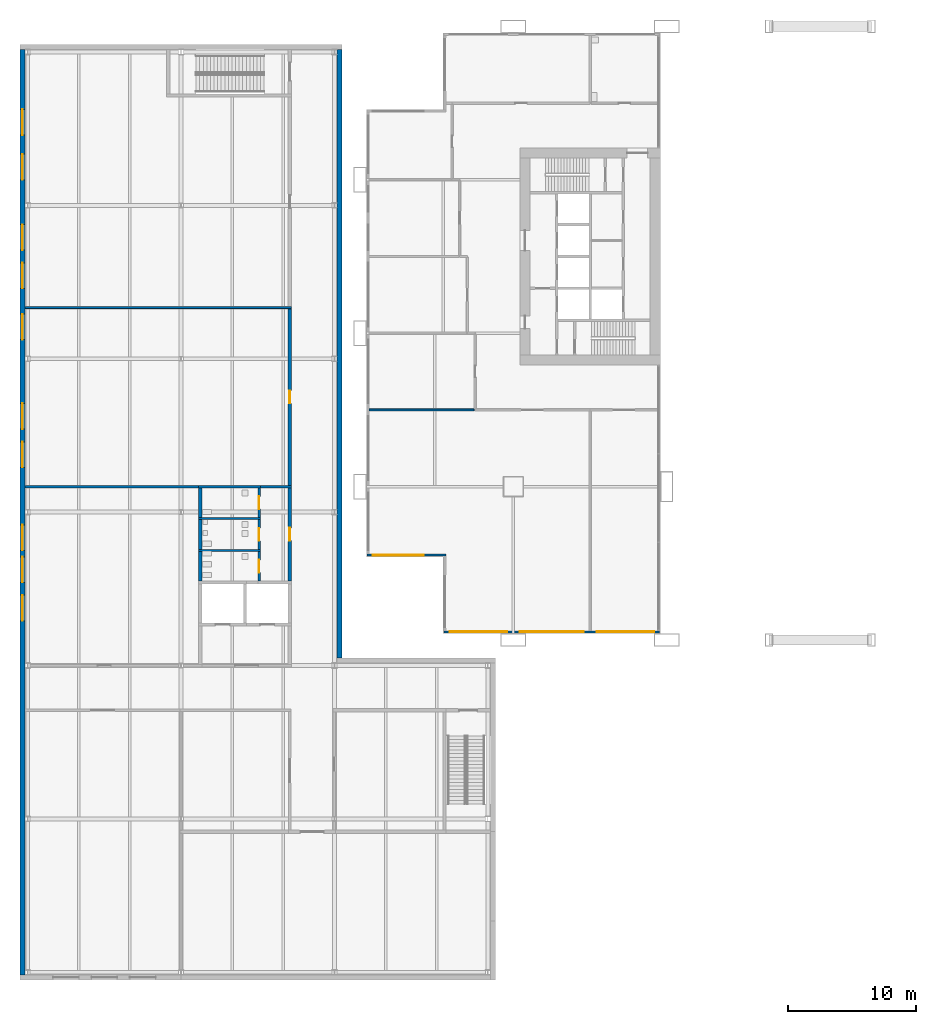
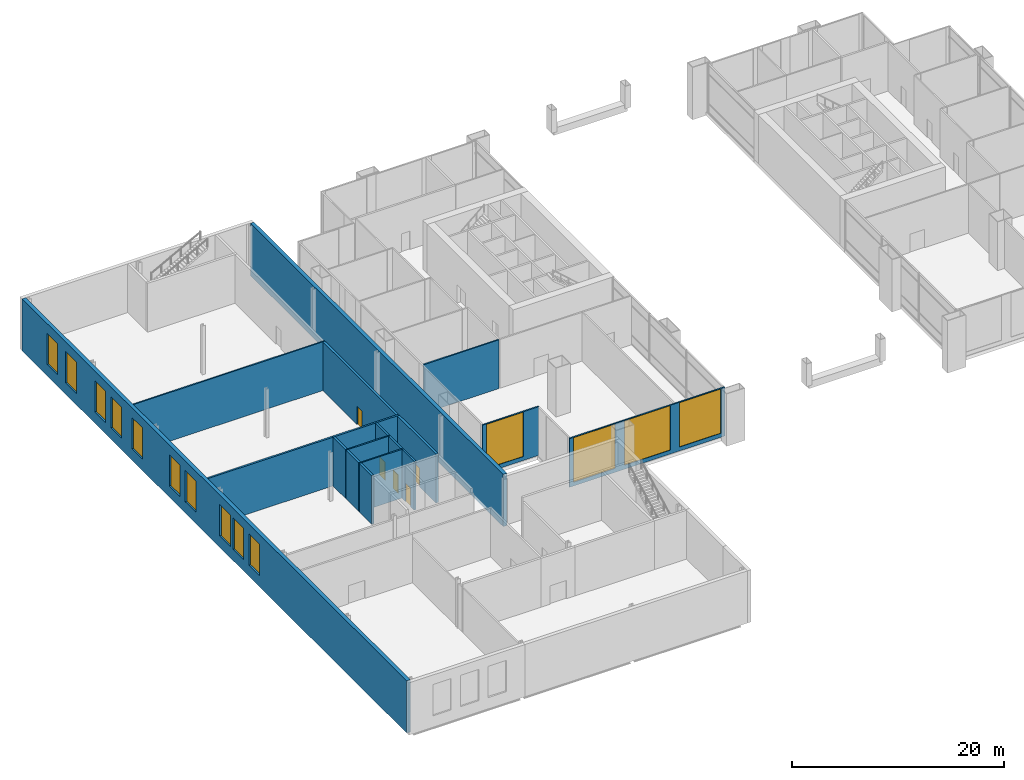
# One storey, part 17 of 25: 19 walls, 14 windows, 5 doors, 19 openings.
"""IFC4 building model written with IfcOpenShell, lengths in metres."""

import ifcopenshell
import ifcopenshell.guid

model = None  # the IFC model being written
_history = None  # IfcOwnerHistory: only IFC2X3 demands one
_inside = {}  # id of a spatial element -> (the spatial element, [elements in it])
_under = {}  # id of a project, library or spatial element -> (it, [spatial elements below it])
_declared = {}  # id of a project -> (the project, [libraries it declares])
_typed = {}  # id of a type object -> (the type object, [elements of that type])
_made_of = {}  # id of a material, layer set ... -> (it, [elements and type objects made of it])


def new_model(schema):
    """Start an empty IFC model of exactly this schema.

    Asked for "IFC4X3", IfcOpenShell would pick the latest addendum, in which some entities
    have other attributes; the version numbers below select the first issue.
    IFC2X3 requires an IfcOwnerHistory on every rooted entity: one is made here for all.
    """
    global model, _history
    if schema == "IFC4X3":
        model = ifcopenshell.file(schema_version=(4, 3, 0, 0))
    else:
        model = ifcopenshell.file(schema=schema)
    _inside.clear()
    _under.clear()
    _declared.clear()
    _typed.clear()
    _made_of.clear()
    _history = None
    if model.schema == "IFC2X3":
        org = make("IfcOrganization", Name="unknown")
        user = make(
            "IfcPersonAndOrganization",
            ThePerson=make("IfcPerson", FamilyName="unknown"),
            TheOrganization=org,
        )
        app = make(
            "IfcApplication",
            ApplicationDeveloper=org,
            Version="unknown",
            ApplicationFullName="unknown",
            ApplicationIdentifier="unknown",
        )
        _history = make(
            "IfcOwnerHistory",
            OwningUser=user,
            OwningApplication=app,
            ChangeAction="ADDED",
            CreationDate=0,
        )
    return model


def make(cls, **values):
    """One entity of the class cls with the attributes given. An attribute that is None is left unset."""
    return model.create_entity(
        cls, **{name: value for name, value in values.items() if value is not None}
    )


def rooted(cls, **values):
    """An entity with a GlobalId (a new one), such as an element, a storey or a relation."""
    return make(cls, GlobalId=ifcopenshell.guid.new(), OwnerHistory=_history, **values)


def si_unit(unit_type, name, prefix=None):
    """IfcSIUnit, for example si_unit("LENGTHUNIT", "METRE", prefix="MILLI")."""
    return make("IfcSIUnit", UnitType=unit_type, Prefix=prefix, Name=name)


def assignment(units):
    """IfcUnitAssignment: the units of a project."""
    return None if units is None else make("IfcUnitAssignment", Units=units)


def point(xyz):
    """IfcCartesianPoint."""
    return None if xyz is None else make("IfcCartesianPoint", Coordinates=xyz)


def direction(xyz):
    """IfcDirection."""
    return None if xyz is None else make("IfcDirection", DirectionRatios=xyz)


def frame(location, z_axis=None, x_axis=None):
    """IfcAxis2Placement3D, a coordinate frame: its origin and axes. An axis left out is left unset."""
    return make(
        "IfcAxis2Placement3D",
        Location=point(location),
        Axis=direction(z_axis),
        RefDirection=direction(x_axis),
    )


def frame_2d(location, x_axis=None):
    """IfcAxis2Placement2D, a coordinate frame in the plane: its origin and x axis."""
    return make(
        "IfcAxis2Placement2D", Location=point(location), RefDirection=direction(x_axis)
    )


def origin():
    """The frame at (0, 0, 0) with its axes left unset."""
    return frame((0.0, 0.0, 0.0))


def place(relative_to, where):
    """IfcLocalPlacement: puts the frame where relative to a parent placement (None: the world)."""
    return make(
        "IfcLocalPlacement", PlacementRelTo=relative_to, RelativePlacement=where
    )


def context(
    kind, dimensions, precision=None, world=None, true_north=None, identifier=None
):
    """IfcGeometricRepresentationContext, for example the 3D "Model" context."""
    return make(
        "IfcGeometricRepresentationContext",
        ContextIdentifier=identifier,
        ContextType=kind,
        CoordinateSpaceDimension=dimensions,
        Precision=precision,
        WorldCoordinateSystem=world,
        TrueNorth=true_north,
    )


def subcontext(parent, identifier, kind, view, scale=None):
    """IfcGeometricRepresentationSubContext, for example "Body" below "Model"."""
    return make(
        "IfcGeometricRepresentationSubContext",
        ContextIdentifier=identifier,
        ContextType=kind,
        ParentContext=parent,
        TargetScale=scale,
        TargetView=view,
    )


def project(units=None, contexts=None):
    """IfcProject with its units and contexts."""
    return rooted(
        "IfcProject",
        Name="project",
        RepresentationContexts=contexts,
        UnitsInContext=assignment(units),
    )


def spatial(cls, under=None, at=None, **own):
    """A site, building, storey or space (cls), placed at a placement, below another one or the project."""
    s = rooted(cls, ObjectPlacement=at, **own)
    if under is not None:
        _under.setdefault(under.id(), (under, []))[1].append(s)
    return s


def profile(cls, at=None, kind="AREA", **sizes):
    """A parametric profile (cls). Its sizes go by their IFC names, for example OverallWidth=200.0."""
    return make(cls, ProfileType=kind, Position=at, **sizes)


def rectangle(**sizes):
    """IfcRectangleProfileDef."""
    return profile("IfcRectangleProfileDef", **sizes)


def extrude(swept, where, along, depth):
    """IfcExtrudedAreaSolid: the profile swept, set in the frame where, extruded along a direction by depth."""
    return make(
        "IfcExtrudedAreaSolid",
        SweptArea=swept,
        Position=where,
        ExtrudedDirection=direction(along),
        Depth=depth,
    )


def shape(context_of_items, identifier, shape_type, items):
    """IfcShapeRepresentation: the items that make up one representation, for example the "Body"."""
    return make(
        "IfcShapeRepresentation",
        ContextOfItems=context_of_items,
        RepresentationIdentifier=identifier,
        RepresentationType=shape_type,
        Items=items,
    )


def material(Name=None, Category=None):
    """IfcMaterial."""
    return make("IfcMaterial", Name=Name, Category=Category)


def layer(
    of_material, thickness, ventilated=None, Name=None, Category=None, Priority=None
):
    """IfcMaterialLayer: one layer of a wall or slab, of a material (None: an air gap)."""
    return make(
        "IfcMaterialLayer",
        Material=of_material,
        LayerThickness=thickness,
        IsVentilated=ventilated,
        Name=Name,
        Category=Category,
        Priority=Priority,
    )


def layer_set(layers, Name=None):
    """IfcMaterialLayerSet."""
    return make("IfcMaterialLayerSet", MaterialLayers=layers, LayerSetName=Name)


def made_of(thing, what):
    """Note that an element or type object is made of a material, layer set ...; save() writes the relation."""
    if what is not None:
        _made_of.setdefault(what.id(), (what, []))[1].append(thing)
    return thing


def type_object(cls, material=None, **own):
    """A type object (cls), such as IfcWallType, which elements share."""
    return made_of(rooted(cls, **own), material)


def element(
    cls,
    number,
    at=None,
    inside=None,
    cuts=None,
    type_object=None,
    material=None,
    context=None,
    identifier="Body",
    shape_type=None,
    held_by="IfcProductDefinitionShape",
    body=None,
    shapes=None,
    **own,
):
    """One element of the class cls, such as IfcWall. Its Tag is "e" and its number.

    at: its placement. inside: the storey or other place that contains it. cuts: it is an
    opening in that element (IfcRelVoidsElement). A single representation is given by context,
    identifier, shape_type and body (its items); several are given by shapes. held_by: the class
    of the entity that holds the representations. save() writes the other relations.
    """
    e = rooted(cls, Tag="e%d" % number, ObjectPlacement=at, **own)
    if body is not None:
        shapes = [shape(context, identifier, shape_type, body)]
    if shapes is not None:
        e.Representation = make(held_by, Representations=shapes)
    if inside is not None:
        _inside.setdefault(inside.id(), (inside, []))[1].append(e)
    if cuts is not None:
        rooted(
            "IfcRelVoidsElement", RelatingBuildingElement=cuts, RelatedOpeningElement=e
        )
    if type_object is not None:
        _typed.setdefault(type_object.id(), (type_object, []))[1].append(e)
    return made_of(e, material)


def fill(opening, filler):
    """IfcRelFillsElement: the door or window that sits in an opening."""
    return rooted(
        "IfcRelFillsElement",
        RelatingOpeningElement=opening,
        RelatedBuildingElement=filler,
    )


def aggregate(whole, parts):
    """IfcRelAggregates: a whole, such as a stair, and the parts it consists of."""
    return rooted("IfcRelAggregates", RelatingObject=whole, RelatedObjects=parts)


def save(model, path):
    """Write the relations noted so far, then the file.

    IfcRelAggregates (storeys below a building ...), IfcRelContainedInSpatialStructure (elements
    in a storey), IfcRelDefinesByType, IfcRelAssociatesMaterial and IfcRelDeclares: one each for
    every whole, place, type object, material and project.
    """
    for whole, parts in _under.values():
        aggregate(whole, parts)
    for where, things in _inside.values():
        rooted(
            "IfcRelContainedInSpatialStructure",
            RelatedElements=things,
            RelatingStructure=where,
        )
    for kind, things in _typed.values():
        rooted("IfcRelDefinesByType", RelatedObjects=things, RelatingType=kind)
    for what, things in _made_of.values():
        rooted("IfcRelAssociatesMaterial", RelatedObjects=things, RelatingMaterial=what)
    for by, libraries in _declared.values():
        rooted("IfcRelDeclares", RelatingContext=by, RelatedDefinitions=libraries)
    model.write(path)


model = new_model("IFC4")

# Units and contexts
model_context = context("Model", 3, precision=1e-05, world=origin(), true_north=direction((0.0, 1.0)))
body_context = subcontext(model_context, "Body", "Model", "MODEL_VIEW")
ifc_project = project(units=[si_unit("LENGTHUNIT", "METRE"), si_unit("AREAUNIT", "SQUARE_METRE"), si_unit("VOLUMEUNIT", "CUBIC_METRE"), si_unit("PLANEANGLEUNIT", "RADIAN"), si_unit("MASSUNIT", "GRAM", prefix="KILO")], contexts=[model_context])

# Site, building, storey
site_placement = place(None, origin())
site = spatial("IfcSite", under=ifc_project, at=site_placement, CompositionType="ELEMENT")
building_placement = place(site_placement, origin())
building = spatial("IfcBuilding", under=site, at=building_placement, Name="Kitamizu Gate Tower and Museum", CompositionType="ELEMENT")
storey_placement = place(building_placement, frame((0.0, 0.0, 18.0)))
storey = spatial("IfcBuildingStorey", under=building, at=storey_placement, Name="L03", CompositionType="ELEMENT", Elevation=18.0)

# Wall, openings, windows
ifc_material_1 = material(Name="Concrete Fc30 precast", Category="concrete")
ifc_layer_1 = layer(ifc_material_1, 0.39990234375)
ifc_layer_set_1 = layer_set([ifc_layer_1], Name="Concrete Fc30 precast")
wall_type_1 = type_object("IfcWallType", Name="Museum cladding wall 400", PredefinedType="STANDARD", material=ifc_layer_set_1)
wall_1_placement = place(storey_placement, frame((-26.39990234375, -26.199951171875, -0.39990234375), z_axis=(0.0, 0.0, 1.0), x_axis=(0.0, 1.0, 0.0)))
wall_1 = element("IfcWall", 1, at=wall_1_placement, inside=storey, type_object=wall_type_1, Name="Cladding wall L03.5", PredefinedType="STANDARD", context=body_context, shape_type="SweptSolid", body=[
    extrude(rectangle(XDim=72.39990234375, YDim=0.39990234375, at=frame_2d((36.199951171875, 0.0))), origin(), (0.0, 0.0, 1.0), 6.0),
])
opening_1_placement = place(wall_1_placement, frame((27.699951171875, 0.0, 1.300048828125)))
opening_1 = element("IfcOpeningElement", 2, at=opening_1_placement, cuts=wall_1, Name="Opening MWN1", PredefinedType="OPENING", context=body_context, shape_type="SweptSolid", body=[
    extrude(rectangle(XDim=2.0, YDim=3.60009765625, at=frame_2d((1.0, 1.800048828125))), frame((0.0, 0.2099609375, 0.0), z_axis=(0.0, -1.0, 0.0), x_axis=(1.0, 0.0, 0.0)), (0.0, 0.0, 1.0), 0.419921875),
])
opening_2_placement = place(wall_1_placement, frame((30.699951171875, 0.0, 1.300048828125)))
opening_2 = element("IfcOpeningElement", 3, at=opening_2_placement, cuts=wall_1, Name="Opening MWN1", PredefinedType="OPENING", context=body_context, shape_type="SweptSolid", body=[
    extrude(rectangle(XDim=2.0, YDim=3.60009765625, at=frame_2d((1.0, 1.800048828125))), frame((0.0, 0.2099609375, 0.0), z_axis=(0.0, -1.0, 0.0), x_axis=(1.0, 0.0, 0.0)), (0.0, 0.0, 1.0), 0.419921875),
])
opening_3_placement = place(wall_1_placement, frame((33.199951171875, 0.0, 1.300048828125)))
opening_3 = element("IfcOpeningElement", 4, at=opening_3_placement, cuts=wall_1, Name="Opening MWN1", PredefinedType="OPENING", context=body_context, shape_type="SweptSolid", body=[
    extrude(rectangle(XDim=2.0, YDim=3.60009765625, at=frame_2d((1.0, 1.800048828125))), frame((0.0, 0.2099609375, 0.0), z_axis=(0.0, -1.0, 0.0), x_axis=(1.0, 0.0, 0.0)), (0.0, 0.0, 1.0), 0.419921875),
])
opening_4_placement = place(wall_1_placement, frame((39.699951171875, 0.0, 1.300048828125)))
opening_4 = element("IfcOpeningElement", 5, at=opening_4_placement, cuts=wall_1, Name="Opening MWN1", PredefinedType="OPENING", context=body_context, shape_type="SweptSolid", body=[
    extrude(rectangle(XDim=2.0, YDim=3.60009765625, at=frame_2d((1.0, 1.800048828125))), frame((0.0, 0.2099609375, 0.0), z_axis=(0.0, -1.0, 0.0), x_axis=(1.0, 0.0, 0.0)), (0.0, 0.0, 1.0), 0.419921875),
])
opening_5_placement = place(wall_1_placement, frame((42.699951171875, 0.0, 1.300048828125)))
opening_5 = element("IfcOpeningElement", 6, at=opening_5_placement, cuts=wall_1, Name="Opening MWN1", PredefinedType="OPENING", context=body_context, shape_type="SweptSolid", body=[
    extrude(rectangle(XDim=2.0, YDim=3.60009765625, at=frame_2d((1.0, 1.800048828125))), frame((0.0, 0.2099609375, 0.0), z_axis=(0.0, -1.0, 0.0), x_axis=(1.0, 0.0, 0.0)), (0.0, 0.0, 1.0), 0.419921875),
])
opening_6_placement = place(wall_1_placement, frame((49.699951171875, 0.0, 1.300048828125)))
opening_6 = element("IfcOpeningElement", 7, at=opening_6_placement, cuts=wall_1, Name="Opening MWN1", PredefinedType="OPENING", context=body_context, shape_type="SweptSolid", body=[
    extrude(rectangle(XDim=2.0, YDim=3.60009765625, at=frame_2d((1.0, 1.800048828125))), frame((0.0, 0.2099609375, 0.0), z_axis=(0.0, -1.0, 0.0), x_axis=(1.0, 0.0, 0.0)), (0.0, 0.0, 1.0), 0.419921875),
])
opening_7_placement = place(wall_1_placement, frame((53.699951171875, 0.0, 1.300048828125)))
opening_7 = element("IfcOpeningElement", 8, at=opening_7_placement, cuts=wall_1, Name="Opening MWN1", PredefinedType="OPENING", context=body_context, shape_type="SweptSolid", body=[
    extrude(rectangle(XDim=2.0, YDim=3.60009765625, at=frame_2d((1.0, 1.800048828125))), frame((0.0, 0.2099609375, 0.0), z_axis=(0.0, -1.0, 0.0), x_axis=(1.0, 0.0, 0.0)), (0.0, 0.0, 1.0), 0.419921875),
])
opening_8_placement = place(wall_1_placement, frame((56.699951171875, 0.0, 1.300048828125)))
opening_8 = element("IfcOpeningElement", 9, at=opening_8_placement, cuts=wall_1, Name="Opening MWN1", PredefinedType="OPENING", context=body_context, shape_type="SweptSolid", body=[
    extrude(rectangle(XDim=2.0, YDim=3.60009765625, at=frame_2d((1.0, 1.800048828125))), frame((0.0, 0.2099609375, 0.0), z_axis=(0.0, -1.0, 0.0), x_axis=(1.0, 0.0, 0.0)), (0.0, 0.0, 1.0), 0.419921875),
])
opening_9_placement = place(wall_1_placement, frame((62.199951171875, 0.0, 1.300048828125)))
opening_9 = element("IfcOpeningElement", 10, at=opening_9_placement, cuts=wall_1, Name="Opening MWN1", PredefinedType="OPENING", context=body_context, shape_type="SweptSolid", body=[
    extrude(rectangle(XDim=2.0, YDim=3.60009765625, at=frame_2d((1.0, 1.800048828125))), frame((0.0, 0.2099609375, 0.0), z_axis=(0.0, -1.0, 0.0), x_axis=(1.0, 0.0, 0.0)), (0.0, 0.0, 1.0), 0.419921875),
])
opening_10_placement = place(wall_1_placement, frame((65.699951171875, 0.0, 1.300048828125)))
opening_10 = element("IfcOpeningElement", 11, at=opening_10_placement, cuts=wall_1, Name="Opening MWN1", PredefinedType="OPENING", context=body_context, shape_type="SweptSolid", body=[
    extrude(rectangle(XDim=2.0, YDim=3.60009765625, at=frame_2d((1.0, 1.800048828125))), frame((0.0, 0.2099609375, 0.0), z_axis=(0.0, -1.0, 0.0), x_axis=(1.0, 0.0, 0.0)), (0.0, 0.0, 1.0), 0.419921875),
])
ifc_material_2 = material(Name="Bronze anodised aluminium frame, tinted triple glazing", Category="aluminium")
window_type_1 = type_object("IfcWindowType", Name="Museum window 2000x3600", PartitioningType="SINGLE_PANEL", PredefinedType="WINDOW", material=ifc_material_2)
window_1_placement = place(opening_1_placement, origin())
window_1 = element("IfcWindow", 12, at=window_1_placement, inside=storey, type_object=window_type_1, Name="Window", OverallHeight=3.60009765625, OverallWidth=2.0, PartitioningType="SINGLE_PANEL", PredefinedType="WINDOW", context=body_context, shape_type="SweptSolid", body=[
    extrude(rectangle(XDim=2.0, YDim=3.60009765625, at=frame_2d((1.0, 1.800048828125))), frame((0.0, 0.030029296875, 0.0), z_axis=(0.0, -1.0, 0.0), x_axis=(1.0, 0.0, 0.0)), (0.0, 0.0, 1.0), 0.06005859375),
])
fill(opening_1, window_1)
window_2_placement = place(opening_2_placement, origin())
window_2 = element("IfcWindow", 13, at=window_2_placement, inside=storey, type_object=window_type_1, Name="Window", OverallHeight=3.60009765625, OverallWidth=2.0, PartitioningType="SINGLE_PANEL", PredefinedType="WINDOW", context=body_context, shape_type="SweptSolid", body=[
    extrude(rectangle(XDim=2.0, YDim=3.60009765625, at=frame_2d((1.0, 1.800048828125))), frame((0.0, 0.030029296875, 0.0), z_axis=(0.0, -1.0, 0.0), x_axis=(1.0, 0.0, 0.0)), (0.0, 0.0, 1.0), 0.06005859375),
])
fill(opening_2, window_2)
window_3_placement = place(opening_3_placement, origin())
window_3 = element("IfcWindow", 14, at=window_3_placement, inside=storey, type_object=window_type_1, Name="Window", OverallHeight=3.60009765625, OverallWidth=2.0, PartitioningType="SINGLE_PANEL", PredefinedType="WINDOW", context=body_context, shape_type="SweptSolid", body=[
    extrude(rectangle(XDim=2.0, YDim=3.60009765625, at=frame_2d((1.0, 1.800048828125))), frame((0.0, 0.030029296875, 0.0), z_axis=(0.0, -1.0, 0.0), x_axis=(1.0, 0.0, 0.0)), (0.0, 0.0, 1.0), 0.06005859375),
])
fill(opening_3, window_3)
window_4_placement = place(opening_4_placement, origin())
window_4 = element("IfcWindow", 15, at=window_4_placement, inside=storey, type_object=window_type_1, Name="Window", OverallHeight=3.60009765625, OverallWidth=2.0, PartitioningType="SINGLE_PANEL", PredefinedType="WINDOW", context=body_context, shape_type="SweptSolid", body=[
    extrude(rectangle(XDim=2.0, YDim=3.60009765625, at=frame_2d((1.0, 1.800048828125))), frame((0.0, 0.030029296875, 0.0), z_axis=(0.0, -1.0, 0.0), x_axis=(1.0, 0.0, 0.0)), (0.0, 0.0, 1.0), 0.06005859375),
])
fill(opening_4, window_4)
window_5_placement = place(opening_5_placement, origin())
window_5 = element("IfcWindow", 16, at=window_5_placement, inside=storey, type_object=window_type_1, Name="Window", OverallHeight=3.60009765625, OverallWidth=2.0, PartitioningType="SINGLE_PANEL", PredefinedType="WINDOW", context=body_context, shape_type="SweptSolid", body=[
    extrude(rectangle(XDim=2.0, YDim=3.60009765625, at=frame_2d((1.0, 1.800048828125))), frame((0.0, 0.030029296875, 0.0), z_axis=(0.0, -1.0, 0.0), x_axis=(1.0, 0.0, 0.0)), (0.0, 0.0, 1.0), 0.06005859375),
])
fill(opening_5, window_5)
window_6_placement = place(opening_6_placement, origin())
window_6 = element("IfcWindow", 17, at=window_6_placement, inside=storey, type_object=window_type_1, Name="Window", OverallHeight=3.60009765625, OverallWidth=2.0, PartitioningType="SINGLE_PANEL", PredefinedType="WINDOW", context=body_context, shape_type="SweptSolid", body=[
    extrude(rectangle(XDim=2.0, YDim=3.60009765625, at=frame_2d((1.0, 1.800048828125))), frame((0.0, 0.030029296875, 0.0), z_axis=(0.0, -1.0, 0.0), x_axis=(1.0, 0.0, 0.0)), (0.0, 0.0, 1.0), 0.06005859375),
])
fill(opening_6, window_6)
window_7_placement = place(opening_7_placement, origin())
window_7 = element("IfcWindow", 18, at=window_7_placement, inside=storey, type_object=window_type_1, Name="Window", OverallHeight=3.60009765625, OverallWidth=2.0, PartitioningType="SINGLE_PANEL", PredefinedType="WINDOW", context=body_context, shape_type="SweptSolid", body=[
    extrude(rectangle(XDim=2.0, YDim=3.60009765625, at=frame_2d((1.0, 1.800048828125))), frame((0.0, 0.030029296875, 0.0), z_axis=(0.0, -1.0, 0.0), x_axis=(1.0, 0.0, 0.0)), (0.0, 0.0, 1.0), 0.06005859375),
])
fill(opening_7, window_7)
window_8_placement = place(opening_8_placement, origin())
window_8 = element("IfcWindow", 19, at=window_8_placement, inside=storey, type_object=window_type_1, Name="Window", OverallHeight=3.60009765625, OverallWidth=2.0, PartitioningType="SINGLE_PANEL", PredefinedType="WINDOW", context=body_context, shape_type="SweptSolid", body=[
    extrude(rectangle(XDim=2.0, YDim=3.60009765625, at=frame_2d((1.0, 1.800048828125))), frame((0.0, 0.030029296875, 0.0), z_axis=(0.0, -1.0, 0.0), x_axis=(1.0, 0.0, 0.0)), (0.0, 0.0, 1.0), 0.06005859375),
])
fill(opening_8, window_8)
window_9_placement = place(opening_9_placement, origin())
window_9 = element("IfcWindow", 20, at=window_9_placement, inside=storey, type_object=window_type_1, Name="Window", OverallHeight=3.60009765625, OverallWidth=2.0, PartitioningType="SINGLE_PANEL", PredefinedType="WINDOW", context=body_context, shape_type="SweptSolid", body=[
    extrude(rectangle(XDim=2.0, YDim=3.60009765625, at=frame_2d((1.0, 1.800048828125))), frame((0.0, 0.030029296875, 0.0), z_axis=(0.0, -1.0, 0.0), x_axis=(1.0, 0.0, 0.0)), (0.0, 0.0, 1.0), 0.06005859375),
])
fill(opening_9, window_9)
window_10_placement = place(opening_10_placement, origin())
window_10 = element("IfcWindow", 21, at=window_10_placement, inside=storey, type_object=window_type_1, Name="Window", OverallHeight=3.60009765625, OverallWidth=2.0, PartitioningType="SINGLE_PANEL", PredefinedType="WINDOW", context=body_context, shape_type="SweptSolid", body=[
    extrude(rectangle(XDim=2.0, YDim=3.60009765625, at=frame_2d((1.0, 1.800048828125))), frame((0.0, 0.030029296875, 0.0), z_axis=(0.0, -1.0, 0.0), x_axis=(1.0, 0.0, 0.0)), (0.0, 0.0, 1.0), 0.06005859375),
])
fill(opening_10, window_10)

# Wall
wall_2_placement = place(storey_placement, frame((-1.60009765625, -1.39990234375, -0.39990234375), z_axis=(0.0, 0.0, 1.0), x_axis=(0.0, 1.0, 0.0)))
element("IfcWall", 22, at=wall_2_placement, inside=storey, type_object=wall_type_1, Name="Cladding wall L03.8", PredefinedType="STANDARD", context=body_context, shape_type="SweptSolid", body=[
    extrude(rectangle(XDim=47.599853515625, YDim=0.39990234375, at=frame_2d((23.7998046875, 0.0))), origin(), (0.0, 0.0, 1.0), 6.0),
])

# Wall, opening, door
ifc_material_3 = material(Name="Gypsum board on galvanised stud")
ifc_layer_2 = layer(ifc_material_3, 0.199951171875)
ifc_layer_set_2 = layer_set([ifc_layer_2], Name="Gypsum board on galvanised stud")
wall_type_2 = type_object("IfcWallType", Name="Museum fire rated partition 200", PredefinedType="PARTITIONING", material=ifc_layer_set_2)
wall_3_placement = place(storey_placement, frame((-7.89990234375, 9.574951171875, 0.0), z_axis=(0.0, 0.0, 1.0), x_axis=(0.0, 1.0, 0.0)))
wall_3 = element("IfcWall", 23, at=wall_3_placement, inside=storey, type_object=wall_type_2, Name="Fire-rated partition L03.37.1", PredefinedType="PARTITIONING", context=body_context, shape_type="SweptSolid", body=[
    extrude(rectangle(XDim=2.324951171875, YDim=0.199951171875, at=frame_2d((1.16259765625, 0.0))), origin(), (0.0, 0.0, 1.0), 5.60009765625),
])
opening_11_placement = place(wall_3_placement, frame((0.6630859375, 0.0, 0.0)))
opening_11 = element("IfcOpeningElement", 24, at=opening_11_placement, cuts=wall_3, Name="Opening MUS-L03-009", PredefinedType="OPENING", context=body_context, shape_type="SweptSolid", body=[
    extrude(rectangle(XDim=1.0, YDim=2.10009765625, at=frame_2d((0.5, 1.050048828125))), frame((0.0, 0.10986328125, 0.0), z_axis=(0.0, -1.0, 0.0), x_axis=(1.0, 0.0, 0.0)), (0.0, 0.0, 1.0), 0.219970703125),
])
ifc_material_4 = material(Name="Timber leaf in hollow metal frame", Category="wood")
door_type = type_object("IfcDoorType", Name="Museum door 1000x2100 FD60", OperationType="NOTDEFINED", PredefinedType="DOOR", material=ifc_material_4)
door_1_placement = place(opening_11_placement, origin())
door_1 = element("IfcDoor", 25, at=door_1_placement, inside=storey, type_object=door_type, Name="Door Accessible WC", OperationType="SINGLE_SWING_LEFT", OverallHeight=2.10009765625, OverallWidth=1.0, PredefinedType="DOOR", context=body_context, shape_type="SweptSolid", body=[
    extrude(rectangle(XDim=1.0, YDim=2.10009765625, at=frame_2d((0.5, 1.050048828125))), frame((0.0, 0.02490234375, 0.0), z_axis=(0.0, -1.0, 0.0), x_axis=(1.0, 0.0, 0.0)), (0.0, 0.0, 1.0), 0.050048828125),
])
fill(opening_11, door_1)

# Wall
wall_4_placement = place(storey_placement, frame((-7.800048828125, 12.0, 0.0), z_axis=(0.0, 0.0, 1.0), x_axis=(1.0, 0.0, 0.0)))
element("IfcWall", 26, at=wall_4_placement, inside=storey, type_object=wall_type_2, Name="Fire-rated partition L03.38.1", PredefinedType="PARTITIONING", context=body_context, shape_type="SweptSolid", body=[
    extrude(rectangle(XDim=2.425048828125, YDim=0.199951171875, at=frame_2d((1.21240234375, 0.0))), origin(), (0.0, 0.0, 1.0), 5.60009765625),
])

# Wall, opening, door
wall_5_placement = place(storey_placement, frame((-7.89990234375, 7.074951171875, 0.0), z_axis=(0.0, 0.0, 1.0), x_axis=(0.0, 1.0, 0.0)))
wall_5 = element("IfcWall", 27, at=wall_5_placement, inside=storey, type_object=wall_type_2, Name="Fire-rated partition L03.39.1", PredefinedType="PARTITIONING", context=body_context, shape_type="SweptSolid", body=[
    extrude(rectangle(XDim=2.35009765625, YDim=0.199951171875, at=frame_2d((1.175048828125, 0.0))), origin(), (0.0, 0.0, 1.0), 5.60009765625),
])
opening_12_placement = place(wall_5_placement, frame((0.675048828125, 0.0, 0.0)))
opening_12 = element("IfcOpeningElement", 28, at=opening_12_placement, cuts=wall_5, Name="Opening MUS-L03-008", PredefinedType="OPENING", context=body_context, shape_type="SweptSolid", body=[
    extrude(rectangle(XDim=1.0, YDim=2.10009765625, at=frame_2d((0.5, 1.050048828125))), frame((0.0, 0.10986328125, 0.0), z_axis=(0.0, -1.0, 0.0), x_axis=(1.0, 0.0, 0.0)), (0.0, 0.0, 1.0), 0.219970703125),
])
door_2_placement = place(opening_12_placement, origin())
door_2 = element("IfcDoor", 29, at=door_2_placement, inside=storey, type_object=door_type, Name="Door Men WC", OperationType="SINGLE_SWING_RIGHT", OverallHeight=2.10009765625, OverallWidth=1.0, PredefinedType="DOOR", context=body_context, shape_type="SweptSolid", body=[
    extrude(rectangle(XDim=1.0, YDim=2.10009765625, at=frame_2d((0.5, 1.050048828125))), frame((0.0, 0.02490234375, 0.0), z_axis=(0.0, -1.0, 0.0), x_axis=(1.0, 0.0, 0.0)), (0.0, 0.0, 1.0), 0.050048828125),
])
fill(opening_12, door_2)

wall_6_placement = place(storey_placement, frame((-7.89990234375, 4.625, 0.0), z_axis=(0.0, 0.0, 1.0), x_axis=(0.0, 1.0, 0.0)))
wall_6 = element("IfcWall", 30, at=wall_6_placement, inside=storey, type_object=wall_type_2, Name="Fire-rated partition L03.40.1", PredefinedType="PARTITIONING", context=body_context, shape_type="SweptSolid", body=[
    extrude(rectangle(XDim=2.300048828125, YDim=0.199951171875, at=frame_2d((1.14990234375, 0.0))), origin(), (0.0, 0.0, 1.0), 5.60009765625),
])
opening_13_placement = place(wall_6_placement, frame((0.64990234375, 0.0, 0.0)))
opening_13 = element("IfcOpeningElement", 31, at=opening_13_placement, cuts=wall_6, Name="Opening MUS-L03-007", PredefinedType="OPENING", context=body_context, shape_type="SweptSolid", body=[
    extrude(rectangle(XDim=1.0, YDim=2.10009765625, at=frame_2d((0.5, 1.050048828125))), frame((0.0, 0.10986328125, 0.0), z_axis=(0.0, -1.0, 0.0), x_axis=(1.0, 0.0, 0.0)), (0.0, 0.0, 1.0), 0.219970703125),
])
door_3_placement = place(opening_13_placement, origin())
door_3 = element("IfcDoor", 32, at=door_3_placement, inside=storey, type_object=door_type, Name="Door Women WC", OperationType="SINGLE_SWING_LEFT", OverallHeight=2.10009765625, OverallWidth=1.0, PredefinedType="DOOR", context=body_context, shape_type="SweptSolid", body=[
    extrude(rectangle(XDim=1.0, YDim=2.10009765625, at=frame_2d((0.5, 1.050048828125))), frame((0.0, 0.02490234375, 0.0), z_axis=(0.0, -1.0, 0.0), x_axis=(1.0, 0.0, 0.0)), (0.0, 0.0, 1.0), 0.050048828125),
])
fill(opening_13, door_3)

ifc_material_5 = material(Name="Gypsum board on galvanised stud")
ifc_layer_3 = layer(ifc_material_5, 0.25)
ifc_layer_set_3 = layer_set([ifc_layer_3], Name="Gypsum board on galvanised stud")
wall_type_3 = type_object("IfcWallType", Name="Museum fire rated partition 250", PredefinedType="PARTITIONING", material=ifc_layer_set_3)
wall_7_placement = place(storey_placement, frame((-5.5, 12.10009765625, 0.0), z_axis=(0.0, 0.0, 1.0), x_axis=(0.0, 1.0, 0.0)))
wall_7 = element("IfcWall", 33, at=wall_7_placement, inside=storey, type_object=wall_type_3, Name="Fire-rated partition L03.3.1", PredefinedType="PARTITIONING", context=body_context, shape_type="SweptSolid", body=[
    extrude(rectangle(XDim=13.824951171875, YDim=0.25, at=frame_2d((6.91259765625, 0.0))), origin(), (0.0, 0.0, 1.0), 5.60009765625),
])
opening_14_placement = place(wall_7_placement, frame((6.4130859375, 0.0, 0.0)))
opening_14 = element("IfcOpeningElement", 34, at=opening_14_placement, cuts=wall_7, Name="Opening MUS-L03-015", PredefinedType="OPENING", context=body_context, shape_type="SweptSolid", body=[
    extrude(rectangle(XDim=1.0, YDim=2.10009765625, at=frame_2d((0.5, 1.050048828125))), frame((0.0, 0.135009765625, 0.0), z_axis=(0.0, -1.0, 0.0), x_axis=(1.0, 0.0, 0.0)), (0.0, 0.0, 1.0), 0.27001953125),
])
door_4_placement = place(opening_14_placement, origin())
door_4 = element("IfcDoor", 35, at=door_4_placement, inside=storey, type_object=door_type, Name="Door Administration office", OperationType="SINGLE_SWING_RIGHT", OverallHeight=2.10009765625, OverallWidth=1.0, PredefinedType="DOOR", context=body_context, shape_type="SweptSolid", body=[
    extrude(rectangle(XDim=1.0, YDim=2.10009765625, at=frame_2d((0.5, 1.050048828125))), frame((0.0, 0.02490234375, 0.0), z_axis=(0.0, -1.0, 0.0), x_axis=(1.0, 0.0, 0.0)), (0.0, 0.0, 1.0), 0.050048828125),
])
fill(opening_14, door_4)

wall_8_placement = place(storey_placement, frame((-5.5, 4.625, 0.0), z_axis=(0.0, 0.0, 1.0), x_axis=(0.0, 1.0, 0.0)))
wall_8 = element("IfcWall", 36, at=wall_8_placement, inside=storey, type_object=wall_type_3, Name="Fire-rated partition L03.17.1", PredefinedType="PARTITIONING", context=body_context, shape_type="SweptSolid", body=[
    extrude(rectangle(XDim=7.27490234375, YDim=0.25, at=frame_2d((3.637451171875, 0.0))), origin(), (0.0, 0.0, 1.0), 5.60009765625),
])
opening_15_placement = place(wall_8_placement, frame((3.137939453125, 0.0, 0.0)))
opening_15 = element("IfcOpeningElement", 37, at=opening_15_placement, cuts=wall_8, Name="Opening MUS-L03-006", PredefinedType="OPENING", context=body_context, shape_type="SweptSolid", body=[
    extrude(rectangle(XDim=1.0, YDim=2.10009765625, at=frame_2d((0.5, 1.050048828125))), frame((0.0, 0.135009765625, 0.0), z_axis=(0.0, -1.0, 0.0), x_axis=(1.0, 0.0, 0.0)), (0.0, 0.0, 1.0), 0.27001953125),
])
door_5_placement = place(opening_15_placement, origin())
door_5 = element("IfcDoor", 38, at=door_5_placement, inside=storey, type_object=door_type, Name="Door WC lobby", OperationType="SINGLE_SWING_RIGHT", OverallHeight=2.10009765625, OverallWidth=1.0, PredefinedType="DOOR", context=body_context, shape_type="SweptSolid", body=[
    extrude(rectangle(XDim=1.0, YDim=2.10009765625, at=frame_2d((0.5, 1.050048828125))), frame((0.0, 0.02490234375, 0.0), z_axis=(0.0, -1.0, 0.0), x_axis=(1.0, 0.0, 0.0)), (0.0, 0.0, 1.0), 0.050048828125),
])
fill(opening_15, door_5)

# Walls
ifc_material_6 = material(Name="Gypsum board on galvanised stud")
ifc_layer_4 = layer(ifc_material_6, 0.14990234375)
ifc_layer_set_4 = layer_set([ifc_layer_4], Name="Gypsum board on galvanised stud")
wall_type_4 = type_object("IfcWallType", Name="Museum partition 150", PredefinedType="PARTITIONING", material=ifc_layer_set_4)
wall_9_placement = place(storey_placement, frame((-26.199951171875, 26.0, 0.0), z_axis=(0.0, 0.0, 1.0), x_axis=(1.0, 0.0, 0.0)))
element("IfcWall", 39, at=wall_9_placement, inside=storey, type_object=wall_type_4, Name="Partition L03.2.1", PredefinedType="PARTITIONING", context=body_context, shape_type="SweptSolid", body=[
    extrude(rectangle(XDim=20.824951171875, YDim=0.14990234375, at=frame_2d((10.41259765625, 0.0))), origin(), (0.0, 0.0, 1.0), 5.60009765625),
])
for number, where, z_axis, x_axis, name in (
    (40, (-12.625, 9.5, 0.0), (0.0, 0.0, 1.0), (1.0, 0.0, 0.0), "Partition L03.26.1"),
    (41, (-12.625, 7.0, 0.0), (0.0, 0.0, 1.0), (1.0, 0.0, 0.0), "Partition L03.42.1"),
):
    element("IfcWall", number, at=place(storey_placement, frame(where, z_axis=z_axis, x_axis=x_axis)), inside=storey, type_object=wall_type_4, Name=name, PredefinedType="PARTITIONING", context=body_context, shape_type="SweptSolid", body=[
        extrude(rectangle(XDim=4.824951171875, YDim=0.14990234375, at=frame_2d((2.41259765625, 0.0))), origin(), (0.0, 0.0, 1.0), 5.60009765625),
    ])
ifc_material_7 = material(Name="Gypsum board on galvanised stud")
ifc_layer_5 = layer(ifc_material_7, 0.199951171875)
ifc_layer_set_5 = layer_set([ifc_layer_5], Name="Gypsum board on galvanised stud")
wall_type_5 = type_object("IfcWallType", Name="Museum partition 200", PredefinedType="PARTITIONING", material=ifc_layer_set_5)
wall_10_placement = place(storey_placement, frame((-12.625, 12.0, 0.0), z_axis=(0.0, 0.0, 1.0), x_axis=(1.0, 0.0, 0.0)))
element("IfcWall", 42, at=wall_10_placement, inside=storey, type_object=wall_type_5, Name="Partition L03.0.1", PredefinedType="PARTITIONING", context=body_context, shape_type="SweptSolid", body=[
    extrude(rectangle(XDim=4.824951171875, YDim=0.199951171875, at=frame_2d((2.41259765625, 0.0))), origin(), (0.0, 0.0, 1.0), 5.60009765625),
])
wall_11_placement = place(storey_placement, frame((-26.199951171875, 12.0, 0.0), z_axis=(0.0, 0.0, 1.0), x_axis=(1.0, 0.0, 0.0)))
element("IfcWall", 43, at=wall_11_placement, inside=storey, type_object=wall_type_5, Name="Partition L03.18.1", PredefinedType="PARTITIONING", context=body_context, shape_type="SweptSolid", body=[
    extrude(rectangle(XDim=13.574951171875, YDim=0.199951171875, at=frame_2d((6.78759765625, 0.0))), origin(), (0.0, 0.0, 1.0), 5.60009765625),
])
ifc_material_8 = material(Name="Gypsum board on galvanised stud")
ifc_layer_6 = layer(ifc_material_8, 0.25)
ifc_layer_set_6 = layer_set([ifc_layer_6], Name="Gypsum board on galvanised stud")
wall_type_6 = type_object("IfcWallType", Name="Museum partition 250", PredefinedType="PARTITIONING", material=ifc_layer_set_6)
wall_12_placement = place(storey_placement, frame((-12.5, 9.574951171875, 0.0), z_axis=(0.0, 0.0, 1.0), x_axis=(0.0, 1.0, 0.0)))
element("IfcWall", 44, at=wall_12_placement, inside=storey, type_object=wall_type_6, Name="Partition L03.1.1", PredefinedType="PARTITIONING", context=body_context, shape_type="SweptSolid", body=[
    extrude(rectangle(XDim=2.324951171875, YDim=0.25, at=frame_2d((1.16259765625, 0.0))), origin(), (0.0, 0.0, 1.0), 5.60009765625),
])
wall_13_placement = place(storey_placement, frame((-12.5, 7.074951171875, 0.0), z_axis=(0.0, 0.0, 1.0), x_axis=(0.0, 1.0, 0.0)))
element("IfcWall", 45, at=wall_13_placement, inside=storey, type_object=wall_type_6, Name="Partition L03.27.1", PredefinedType="PARTITIONING", context=body_context, shape_type="SweptSolid", body=[
    extrude(rectangle(XDim=2.35009765625, YDim=0.25, at=frame_2d((1.175048828125, 0.0))), origin(), (0.0, 0.0, 1.0), 5.60009765625),
])
wall_14_placement = place(storey_placement, frame((-12.5, 4.625, 0.0), z_axis=(0.0, 0.0, 1.0), x_axis=(0.0, 1.0, 0.0)))
element("IfcWall", 46, at=wall_14_placement, inside=storey, type_object=wall_type_6, Name="Partition L03.41.1", PredefinedType="PARTITIONING", context=body_context, shape_type="SweptSolid", body=[
    extrude(rectangle(XDim=2.300048828125, YDim=0.25, at=frame_2d((1.14990234375, 0.0))), origin(), (0.0, 0.0, 1.0), 5.60009765625),
])
ifc_material_9 = material(Name="Gypsum board on galvanised stud")
ifc_layer_7 = layer(ifc_material_9, 0.14990234375)
ifc_layer_set_7 = layer_set([ifc_layer_7], Name="Gypsum board on galvanised stud")
wall_type_7 = type_object("IfcWallType", Name="Partition 150", PredefinedType="PARTITIONING", material=ifc_layer_set_7)
wall_15_placement = place(storey_placement, frame((8.925048828125, 18.0, 0.0), z_axis=(0.0, 0.0, 1.0), x_axis=(-1.0, 0.0, 0.0)))
element("IfcWall", 47, at=wall_15_placement, inside=storey, type_object=wall_type_7, Name="Partition L03-033", PredefinedType="PARTITIONING", context=body_context, shape_type="SweptSolid", body=[
    extrude(rectangle(XDim=8.205078125, YDim=0.14990234375, at=frame_2d((4.1025390625, 0.0))), origin(), (0.0, 0.0, 1.0), 5.60009765625),
])

# Wall, openings, windows
ifc_material_10 = material(Name="Bronze anodised aluminium frame with insulated spandrel and tinted glass", Category="aluminium")
ifc_layer_8 = layer(ifc_material_10, 0.14990234375)
ifc_layer_set_8 = layer_set([ifc_layer_8], Name="Bronze anodised aluminium frame with insulated spandrel and tinted glass")
wall_type_8 = type_object("IfcWallType", Name="WINDOW WALL 150 BRONZE FRAME EI 60", PredefinedType="ELEMENTEDWALL", material=ifc_layer_set_8)
wall_16_placement = place(storey_placement, frame((6.56005859375, 0.635009765625, 0.0), z_axis=(0.0, 0.0, 1.0), x_axis=(1.0, 0.0, 0.0)))
wall_16 = element("IfcWall", 48, at=wall_16_placement, inside=storey, type_object=wall_type_8, Name="Window wall south L03", PredefinedType="ELEMENTEDWALL", context=body_context, shape_type="SweptSolid", body=[
    extrude(rectangle(XDim=16.8798828125, YDim=0.14990234375, at=frame_2d((8.43994140625, 0.0))), origin(), (0.0, 0.0, 1.0), 5.60009765625),
])
opening_16_placement = place(wall_16_placement, frame((0.43994140625, 0.0, 0.449951171875)))
opening_16 = element("IfcOpeningElement", 49, at=opening_16_placement, cuts=wall_16, Name="Opening W21", PredefinedType="OPENING", context=body_context, shape_type="SweptSolid", body=[
    extrude(rectangle(XDim=4.5, YDim=5.10009765625, at=frame_2d((2.25, 2.550048828125))), frame((0.0, 0.0849609375, 0.0), z_axis=(0.0, -1.0, 0.0), x_axis=(1.0, 0.0, 0.0)), (0.0, 0.0, 1.0), 0.169921875),
])
opening_17_placement = place(wall_16_placement, frame((5.93994140625, 0.0, 0.449951171875)))
opening_17 = element("IfcOpeningElement", 50, at=opening_17_placement, cuts=wall_16, Name="Opening W7", PredefinedType="OPENING", context=body_context, shape_type="SweptSolid", body=[
    extrude(rectangle(XDim=5.0, YDim=5.10009765625, at=frame_2d((2.5, 2.550048828125))), frame((0.0, 0.0849609375, 0.0), z_axis=(0.0, -1.0, 0.0), x_axis=(1.0, 0.0, 0.0)), (0.0, 0.0, 1.0), 0.169921875),
])
opening_18_placement = place(wall_16_placement, frame((11.93994140625, 0.0, 0.449951171875)))
opening_18 = element("IfcOpeningElement", 51, at=opening_18_placement, cuts=wall_16, Name="Opening W21", PredefinedType="OPENING", context=body_context, shape_type="SweptSolid", body=[
    extrude(rectangle(XDim=4.5, YDim=5.10009765625, at=frame_2d((2.25, 2.550048828125))), frame((0.0, 0.0849609375, 0.0), z_axis=(0.0, -1.0, 0.0), x_axis=(1.0, 0.0, 0.0)), (0.0, 0.0, 1.0), 0.169921875),
])
ifc_material_11 = material(Name="Bronze anodised aluminium frame, tinted triple glazing", Category="aluminium")
window_type_2 = type_object("IfcWindowType", Name="WINDOW 4500 x 5100 SILL 450", PartitioningType="SINGLE_PANEL", PredefinedType="WINDOW", material=ifc_material_11)
window_11_placement = place(opening_16_placement, origin())
window_11 = element("IfcWindow", 52, at=window_11_placement, inside=storey, type_object=window_type_2, Name="Window W21 L03", OverallHeight=5.10009765625, OverallWidth=4.5, PartitioningType="SINGLE_PANEL", PredefinedType="WINDOW", context=body_context, shape_type="SweptSolid", body=[
    extrude(rectangle(XDim=4.5, YDim=5.10009765625, at=frame_2d((2.25, 2.550048828125))), frame((0.0, 0.030029296875, 0.0), z_axis=(0.0, -1.0, 0.0), x_axis=(1.0, 0.0, 0.0)), (0.0, 0.0, 1.0), 0.06005859375),
])
fill(opening_16, window_11)
window_12_placement = place(opening_18_placement, origin())
window_12 = element("IfcWindow", 53, at=window_12_placement, inside=storey, type_object=window_type_2, Name="Window W21 L03", OverallHeight=5.10009765625, OverallWidth=4.5, PartitioningType="SINGLE_PANEL", PredefinedType="WINDOW", context=body_context, shape_type="SweptSolid", body=[
    extrude(rectangle(XDim=4.5, YDim=5.10009765625, at=frame_2d((2.25, 2.550048828125))), frame((0.0, 0.030029296875, 0.0), z_axis=(0.0, -1.0, 0.0), x_axis=(1.0, 0.0, 0.0)), (0.0, 0.0, 1.0), 0.06005859375),
])
fill(opening_18, window_12)
ifc_material_12 = material(Name="Bronze anodised aluminium frame, tinted triple glazing", Category="aluminium")
window_type_3 = type_object("IfcWindowType", Name="WINDOW 5000 x 5100 SILL 450", PartitioningType="SINGLE_PANEL", PredefinedType="WINDOW", material=ifc_material_12)
window_13_placement = place(opening_17_placement, origin())
window_13 = element("IfcWindow", 54, at=window_13_placement, inside=storey, type_object=window_type_3, Name="Window W7 L03", OverallHeight=5.10009765625, OverallWidth=5.0, PartitioningType="SINGLE_PANEL", PredefinedType="WINDOW", context=body_context, shape_type="SweptSolid", body=[
    extrude(rectangle(XDim=5.0, YDim=5.10009765625, at=frame_2d((2.5, 2.550048828125))), frame((0.0, 0.030029296875, 0.0), z_axis=(0.0, -1.0, 0.0), x_axis=(1.0, 0.0, 0.0)), (0.0, 0.0, 1.0), 0.06005859375),
])
fill(opening_17, window_13)

# Wall, opening, window
wall_17_placement = place(storey_placement, frame((0.56005859375, 6.635009765625, 0.0), z_axis=(0.0, 0.0, 1.0), x_axis=(1.0, 0.0, 0.0)))
wall_17 = element("IfcWall", 55, at=wall_17_placement, inside=storey, type_object=wall_type_8, Name="Window wall south L03", PredefinedType="ELEMENTEDWALL", context=body_context, shape_type="SweptSolid", body=[
    extrude(rectangle(XDim=6.14990234375, YDim=0.14990234375, at=frame_2d((3.074951171875, 0.0))), origin(), (0.0, 0.0, 1.0), 5.60009765625),
])
opening_19_placement = place(wall_17_placement, frame((0.43994140625, 0.0, 0.449951171875)))
opening_19 = element("IfcOpeningElement", 56, at=opening_19_placement, cuts=wall_17, Name="Opening W22", PredefinedType="OPENING", context=body_context, shape_type="SweptSolid", body=[
    extrude(rectangle(XDim=4.0, YDim=5.10009765625, at=frame_2d((2.0, 2.550048828125))), frame((0.0, 0.0849609375, 0.0), z_axis=(0.0, -1.0, 0.0), x_axis=(1.0, 0.0, 0.0)), (0.0, 0.0, 1.0), 0.169921875),
])
ifc_material_13 = material(Name="Bronze anodised aluminium frame, tinted triple glazing", Category="aluminium")
window_type_4 = type_object("IfcWindowType", Name="WINDOW 4000 x 5100 SILL 450", PartitioningType="SINGLE_PANEL", PredefinedType="WINDOW", material=ifc_material_13)
window_14_placement = place(opening_19_placement, origin())
window_14 = element("IfcWindow", 57, at=window_14_placement, inside=storey, type_object=window_type_4, Name="Window W22 L03", OverallHeight=5.10009765625, OverallWidth=4.0, PartitioningType="SINGLE_PANEL", PredefinedType="WINDOW", context=body_context, shape_type="SweptSolid", body=[
    extrude(rectangle(XDim=4.0, YDim=5.10009765625, at=frame_2d((2.0, 2.550048828125))), frame((0.0, 0.030029296875, 0.0), z_axis=(0.0, -1.0, 0.0), x_axis=(1.0, 0.0, 0.0)), (0.0, 0.0, 1.0), 0.06005859375),
])
fill(opening_19, window_14)

save(model, "model.ifc")
